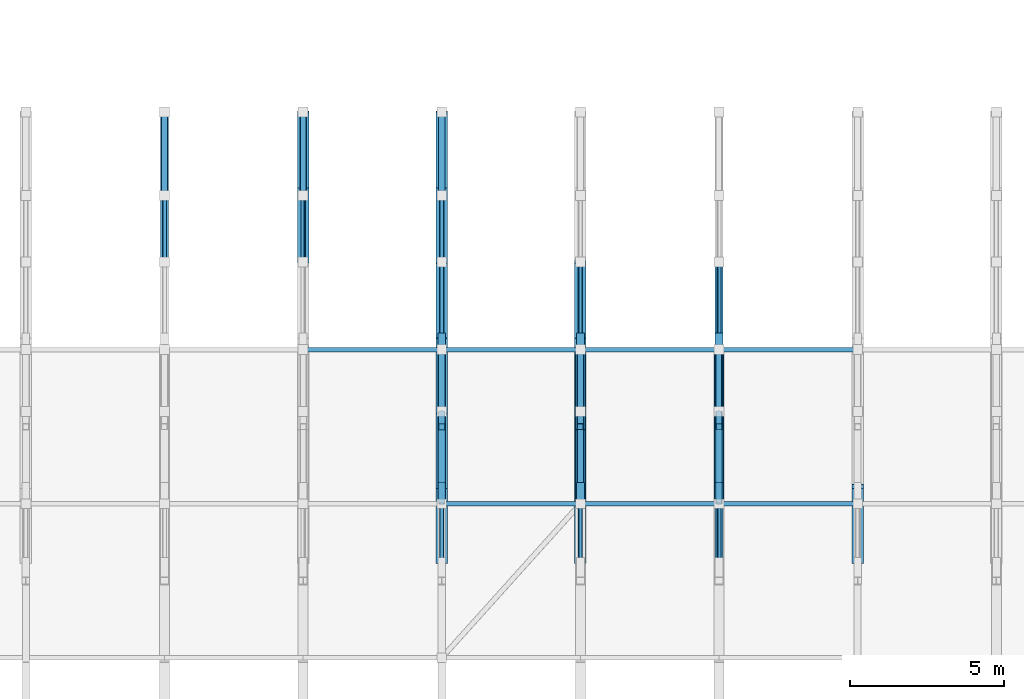
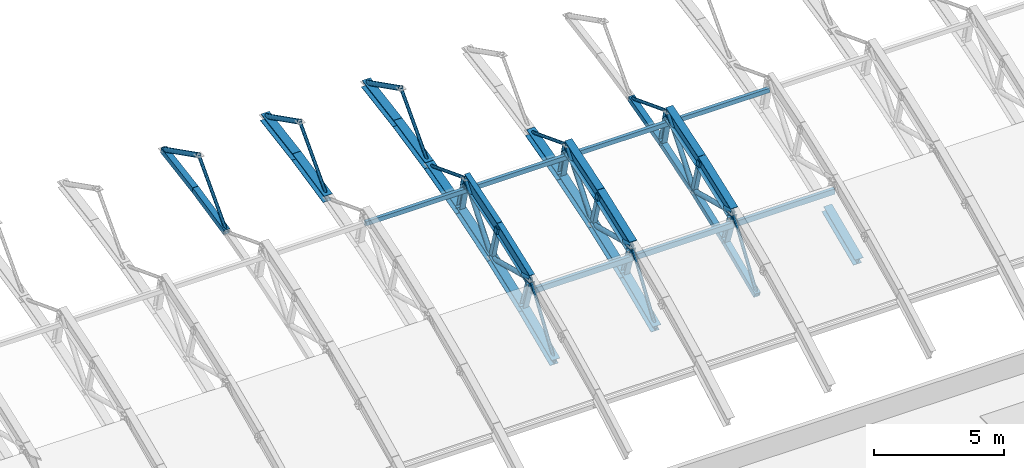
# One storey, part 42 of 103: 53 members, 6 beams.
"""IFC4 building model written with IfcOpenShell, lengths in metres."""

from ifc_helpers import new_model, si_unit, direction, frame, origin, origin_2d, place, context, subcontext, project, spatial, hollow_rectangle, hollow_circle, i_section, extrude, material, material_profile, profile_set, type_object, element, save


model = new_model("IFC4")

# Units and contexts
model_context = context("Model", 3, precision=1e-05, world=origin(), true_north=direction((0.0, 1.0)))
body_context = subcontext(model_context, "Body", "Model", "MODEL_VIEW")
ifc_project = project(units=[si_unit("LENGTHUNIT", "METRE"), si_unit("AREAUNIT", "SQUARE_METRE"), si_unit("VOLUMEUNIT", "CUBIC_METRE"), si_unit("PLANEANGLEUNIT", "RADIAN"), si_unit("MASSUNIT", "GRAM", prefix="KILO")], contexts=[model_context])

# Site, building, storey
site_placement = place(None, origin())
site = spatial("IfcSite", under=ifc_project, at=site_placement, CompositionType="ELEMENT")
building_placement = place(site_placement, origin())
building = spatial("IfcBuilding", under=site, at=building_placement, Name="Cazmaro Siding Exhibition Halls", CompositionType="ELEMENT")
storey_placement = place(building_placement, frame((0.0, 0.0, 16.5)))
storey = spatial("IfcBuildingStorey", under=building, at=storey_placement, Name="L03", CompositionType="ELEMENT", Elevation=16.5)

# Beams
ifc_material_1 = material(Name="Steel ASTM A992 Grade 50", Category="steel")
ifc_material_profile_1 = material_profile(ifc_material_1, i_section(OverallWidth=0.327880859375, OverallDepth=0.626953125, WebThickness=0.01708984375, FlangeThickness=0.028076171875, at=origin_2d()), Name="W24X146")
ifc_profile_set_1 = profile_set([ifc_material_profile_1], Name="Steel ASTM A992 Grade 50")
beam_type_1 = type_object("IfcBeamType", Name="AR-01", PredefinedType="USERDEFINED", material=ifc_profile_set_1)
beam_1_placement = place(storey_placement, frame((112.5, 74.0, 3.1220703125), z_axis=(0.0, 0.936509460339, 0.350642311615), x_axis=(-1.0, 0.0, 0.0)))
element("IfcBeam", 1, at=beam_1_placement, inside=storey, type_object=beam_type_1, Name="Space frame barrel vault arched rib AR-01 BM-0899", ObjectType="ARCHED RIB", PredefinedType="USERDEFINED", context=body_context, shape_type="SweptSolid", body=[
    extrude(i_section(OverallWidth=0.327880859375, OverallDepth=0.626953125, WebThickness=0.01708984375, FlangeThickness=0.028076171875, at=origin_2d()), origin(), (0.0, 0.0, 1.0), 2.66943359375),
])
beam_2_placement = place(storey_placement, frame((112.5, 76.5, 4.05810546875), z_axis=(0.0, 0.952769241759, 0.303695195811), x_axis=(-1.0, 0.0, 0.0)))
element("IfcBeam", 2, at=beam_2_placement, inside=storey, type_object=beam_type_1, Name="Space frame barrel vault arched rib AR-01 BM-0900", ObjectType="ARCHED RIB", PredefinedType="USERDEFINED", context=body_context, shape_type="SweptSolid", body=[
    extrude(i_section(OverallWidth=0.327880859375, OverallDepth=0.626953125, WebThickness=0.01708984375, FlangeThickness=0.028076171875, at=origin_2d()), origin(), (0.0, 0.0, 1.0), 2.6240234375),
])
ifc_material_2 = material(Name="Steel ASTM A992 Grade 50", Category="steel")
ifc_material_profile_2 = material_profile(ifc_material_2, i_section(OverallWidth=0.324951171875, OverallDepth=0.612060546875, WebThickness=0.012939453125, FlangeThickness=0.01904296875, at=origin_2d()), Name="W24X104")
ifc_profile_set_2 = profile_set([ifc_material_profile_2], Name="Steel ASTM A992 Grade 50")
beam_type_2 = type_object("IfcBeamType", Name="AR-02", PredefinedType="USERDEFINED", material=ifc_profile_set_2)
beam_3_placement = place(storey_placement, frame((117.0, 74.0, 3.1220703125), z_axis=(0.0, 0.936509460339, 0.350642311615), x_axis=(-1.0, 0.0, 0.0)))
element("IfcBeam", 3, at=beam_3_placement, inside=storey, type_object=beam_type_2, Name="Space frame barrel vault arched rib AR-02 BM-0923", ObjectType="ARCHED RIB", PredefinedType="USERDEFINED", context=body_context, shape_type="SweptSolid", body=[
    extrude(i_section(OverallWidth=0.324951171875, OverallDepth=0.612060546875, WebThickness=0.012939453125, FlangeThickness=0.01904296875, at=origin_2d()), origin(), (0.0, 0.0, 1.0), 2.66943359375),
])
beam_4_placement = place(storey_placement, frame((117.0, 76.5, 4.05810546875), z_axis=(0.0, 0.952769241759, 0.303695195811), x_axis=(-1.0, 0.0, 0.0)))
element("IfcBeam", 4, at=beam_4_placement, inside=storey, type_object=beam_type_2, Name="Space frame barrel vault arched rib AR-02 BM-0924", ObjectType="ARCHED RIB", PredefinedType="USERDEFINED", context=body_context, shape_type="SweptSolid", body=[
    extrude(i_section(OverallWidth=0.324951171875, OverallDepth=0.612060546875, WebThickness=0.012939453125, FlangeThickness=0.01904296875, at=origin_2d()), origin(), (0.0, 0.0, 1.0), 2.6240234375),
])
ifc_material_3 = material(Name="Steel ASTM A992 Grade 50", Category="steel")
ifc_material_profile_3 = material_profile(ifc_material_3, i_section(OverallWidth=0.22900390625, OverallDepth=0.612060546875, WebThickness=0.011962890625, FlangeThickness=0.02001953125, at=origin_2d()), Name="W24X84")
ifc_profile_set_3 = profile_set([ifc_material_profile_3], Name="Steel ASTM A992 Grade 50")
beam_type_3 = type_object("IfcBeamType", Name="AR-03", PredefinedType="USERDEFINED", material=ifc_profile_set_3)
beam_5_placement = place(storey_placement, frame((108.0, 74.0, 3.1220703125), z_axis=(0.0, 0.936509460339, 0.350642311615), x_axis=(-1.0, 0.0, 0.0)))
element("IfcBeam", 5, at=beam_5_placement, inside=storey, type_object=beam_type_3, Name="Space frame barrel vault arched rib AR-03 BM-0875", ObjectType="ARCHED RIB", PredefinedType="USERDEFINED", context=body_context, shape_type="SweptSolid", body=[
    extrude(i_section(OverallWidth=0.22900390625, OverallDepth=0.612060546875, WebThickness=0.011962890625, FlangeThickness=0.02001953125, at=origin_2d()), origin(), (0.0, 0.0, 1.0), 2.66943359375),
])
beam_6_placement = place(storey_placement, frame((108.0, 76.5, 4.05810546875), z_axis=(0.0, 0.952769241759, 0.303695195811), x_axis=(-1.0, 0.0, 0.0)))
element("IfcBeam", 6, at=beam_6_placement, inside=storey, type_object=beam_type_3, Name="Space frame barrel vault arched rib AR-03 BM-0876", ObjectType="ARCHED RIB", PredefinedType="USERDEFINED", context=body_context, shape_type="SweptSolid", body=[
    extrude(i_section(OverallWidth=0.22900390625, OverallDepth=0.612060546875, WebThickness=0.011962890625, FlangeThickness=0.02001953125, at=origin_2d()), origin(), (0.0, 0.0, 1.0), 2.6240234375),
])

# Members
ifc_material_4 = material(Name="Steel ASTM A500 Grade C", Category="steel")
ifc_material_profile_4 = material_profile(ifc_material_4, hollow_rectangle(XDim=0.152099609375, YDim=0.202880859375, WallThickness=0.011962890625, at=origin_2d()), Name="HSS8X6X1/2")
ifc_profile_set_4 = profile_set([ifc_material_profile_4], Name="Steel ASTM A500 Grade C")
member_type_1 = type_object("IfcMemberType", Name="RP-01", PredefinedType="PURLIN", material=ifc_profile_set_4)
for number, where, z_axis, x_axis, name in (
    (7, (103.5, 79.0, 4.31494140625), (1.0, 0.0, 0.0), (0.0, 1.0, 0.0), "Space frame barrel vault purlin RP-01 MEM-2121"),
    (8, (108.0, 79.0, 4.31494140625), (1.0, 0.0, 0.0), (0.0, 1.0, 0.0), "Space frame barrel vault purlin RP-01 MEM-2132"),
    (9, (112.5, 79.0, 4.31494140625), (1.0, 0.0, 0.0), (0.0, 1.0, 0.0), "Space frame barrel vault purlin RP-01 MEM-2149"),
    (10, (117.0, 79.0, 4.31494140625), (1.0, 0.0, 0.0), (0.0, 1.0, 0.0), "Space frame barrel vault purlin RP-01 MEM-2160"),
):
    element("IfcMember", number, at=place(storey_placement, frame(where, z_axis=z_axis, x_axis=x_axis)), inside=storey, type_object=member_type_1, Name=name, PredefinedType="PURLIN", context=body_context, shape_type="SweptSolid", body=[
        extrude(hollow_rectangle(XDim=0.152099609375, YDim=0.202880859375, WallThickness=0.011962890625, at=origin_2d()), origin(), (0.0, 0.0, 1.0), 4.5),
    ])
ifc_material_5 = material(Name="Steel ASTM A500 Grade C", Category="steel")
ifc_material_profile_5 = material_profile(ifc_material_5, hollow_rectangle(XDim=0.152099609375, YDim=0.25390625, WallThickness=0.011962890625, at=origin_2d()), Name="HSS10X6X1/2")
ifc_profile_set_5 = profile_set([ifc_material_profile_5], Name="Steel ASTM A500 Grade C")
member_type_2 = type_object("IfcMemberType", Name="RP-04", PredefinedType="PURLIN", material=ifc_profile_set_5)
for number, where, z_axis, x_axis, name in (
    (11, (108.0, 74.0, 2.58203125), (1.0, 0.0, 0.0), (0.0, 1.0, 0.0), "Space frame barrel vault purlin RP-04 MEM-2131"),
    (12, (112.5, 74.0, 2.58203125), (1.0, 0.0, 0.0), (0.0, 1.0, 0.0), "Space frame barrel vault purlin RP-04 MEM-2148"),
    (13, (117.0, 74.0, 2.58203125), (1.0, 0.0, 0.0), (0.0, 1.0, 0.0), "Space frame barrel vault purlin RP-04 MEM-2159"),
):
    element("IfcMember", number, at=place(storey_placement, frame(where, z_axis=z_axis, x_axis=x_axis)), inside=storey, type_object=member_type_2, Name=name, PredefinedType="PURLIN", context=body_context, shape_type="SweptSolid", body=[
        extrude(hollow_rectangle(XDim=0.152099609375, YDim=0.25390625, WallThickness=0.011962890625, at=origin_2d()), origin(), (0.0, 0.0, 1.0), 4.5),
    ])
ifc_material_6 = material(Name="Steel ASTM A500 Grade C", Category="steel")
ifc_material_profile_6 = material_profile(ifc_material_6, hollow_rectangle(XDim=0.25390625, YDim=0.25390625, WallThickness=0.014892578125, at=origin_2d()), Name="HSS10X10X5/8")
ifc_profile_set_6 = profile_set([ifc_material_profile_6], Name="Steel ASTM A500 Grade C")
member_type_3 = type_object("IfcMemberType", Name="TC-01", PredefinedType="CHORD", material=ifc_profile_set_6)
member_1_placement = place(storey_placement, frame((99.0, 81.85009765625, 3.760986328125), z_axis=(0.0, 0.977697351532, 0.210018782033), x_axis=(-1.0, 0.0, 0.0)))
element("IfcMember", 14, at=member_1_placement, inside=storey, type_object=member_type_3, Name="Space frame barrel vault bottom chord TC-01 MEM-0819", PredefinedType="CHORD", context=body_context, shape_type="SweptSolid", body=[
    extrude(hollow_rectangle(XDim=0.25390625, YDim=0.25390625, WallThickness=0.014892578125, at=origin_2d()), origin(), (0.0, 0.0, 1.0), 2.4853515625),
])
member_2_placement = place(storey_placement, frame((99.0, 84.280029296875, 4.282958984375), z_axis=(0.0, 0.986455464336, 0.164029317138), x_axis=(-1.0, 0.0, 0.0)))
element("IfcMember", 15, at=member_2_placement, inside=storey, type_object=member_type_3, Name="Space frame barrel vault bottom chord TC-01 MEM-0821", PredefinedType="CHORD", context=body_context, shape_type="SweptSolid", body=[
    extrude(hollow_rectangle(XDim=0.25390625, YDim=0.25390625, WallThickness=0.014892578125, at=origin_2d()), origin(), (0.0, 0.0, 1.0), 2.46337890625),
])
member_3_placement = place(storey_placement, frame((117.0, 72.131103515625, 0.37890625), z_axis=(0.0, 0.917689003843, 0.397299499403), x_axis=(-1.0, 0.0, 0.0)))
element("IfcMember", 16, at=member_3_placement, inside=storey, type_object=member_type_3, Name="Space frame barrel vault bottom chord TC-01 MEM-1095", PredefinedType="CHORD", context=body_context, shape_type="SweptSolid", body=[
    extrude(hollow_rectangle(XDim=0.25390625, YDim=0.25390625, WallThickness=0.014892578125, at=origin_2d()), origin(), (0.0, 0.0, 1.0), 2.64794921875),
])
member_4_placement = place(storey_placement, frame((117.0, 74.56103515625, 1.430908203125), z_axis=(0.0, 0.936588022869, 0.350432412053), x_axis=(-1.0, 0.0, 0.0)))
element("IfcMember", 17, at=member_4_placement, inside=storey, type_object=member_type_3, Name="Space frame barrel vault bottom chord TC-01 MEM-1097", PredefinedType="CHORD", context=body_context, shape_type="SweptSolid", body=[
    extrude(hollow_rectangle(XDim=0.25390625, YDim=0.25390625, WallThickness=0.014892578125, at=origin_2d()), origin(), (0.0, 0.0, 1.0), 2.594482421875),
])
member_5_placement = place(storey_placement, frame((117.0, 76.990966796875, 2.340087890625), z_axis=(0.0, 0.952692842525, 0.303934775573), x_axis=(-1.0, 0.0, 0.0)))
element("IfcMember", 18, at=member_5_placement, inside=storey, type_object=member_type_3, Name="Space frame barrel vault bottom chord TC-01 MEM-1099", PredefinedType="CHORD", context=body_context, shape_type="SweptSolid", body=[
    extrude(hollow_rectangle(XDim=0.25390625, YDim=0.25390625, WallThickness=0.014892578125, at=origin_2d()), origin(), (0.0, 0.0, 1.0), 2.549560546875),
])
member_6_placement = place(storey_placement, frame((117.0, 79.419921875, 3.114990234375), z_axis=(0.0, 0.966437683387, 0.256901156343), x_axis=(-1.0, 0.0, 0.0)))
element("IfcMember", 19, at=member_6_placement, inside=storey, type_object=member_type_3, Name="Space frame barrel vault bottom chord TC-01 MEM-1101", PredefinedType="CHORD", context=body_context, shape_type="SweptSolid", body=[
    extrude(hollow_rectangle(XDim=0.25390625, YDim=0.25390625, WallThickness=0.014892578125, at=origin_2d()), origin(), (0.0, 0.0, 1.0), 2.5146484375),
])
ifc_material_7 = material(Name="Steel ASTM A992 Grade 50", Category="steel")
ifc_material_profile_7 = material_profile(ifc_material_7, i_section(OverallWidth=0.37109375, OverallDepth=0.364013671875, WebThickness=0.012939453125, FlangeThickness=0.02197265625, at=origin_2d()), Name="W14X109")
ifc_profile_set_7 = profile_set([ifc_material_profile_7], Name="Steel ASTM A992 Grade 50")
member_type_4 = type_object("IfcMemberType", Name="TC-06", PredefinedType="CHORD", material=ifc_profile_set_7)
member_7_placement = place(storey_placement, frame((103.5, 81.85009765625, 3.760986328125), z_axis=(0.0, 0.977697351532, 0.210018782033), x_axis=(-1.0, 0.0, 0.0)))
element("IfcMember", 20, at=member_7_placement, inside=storey, type_object=member_type_4, Name="Space frame barrel vault bottom chord TC-06 MEM-0890", PredefinedType="CHORD", context=body_context, shape_type="SweptSolid", body=[
    extrude(i_section(OverallWidth=0.37109375, OverallDepth=0.364013671875, WebThickness=0.012939453125, FlangeThickness=0.02197265625, at=origin_2d()), origin(), (0.0, 0.0, 1.0), 2.4853515625),
])
member_8_placement = place(storey_placement, frame((103.5, 84.280029296875, 4.282958984375), z_axis=(0.0, 0.986455464336, 0.164029317138), x_axis=(-1.0, 0.0, 0.0)))
element("IfcMember", 21, at=member_8_placement, inside=storey, type_object=member_type_4, Name="Space frame barrel vault bottom chord TC-06 MEM-0892", PredefinedType="CHORD", context=body_context, shape_type="SweptSolid", body=[
    extrude(i_section(OverallWidth=0.37109375, OverallDepth=0.364013671875, WebThickness=0.012939453125, FlangeThickness=0.02197265625, at=origin_2d()), origin(), (0.0, 0.0, 1.0), 2.46337890625),
])
member_9_placement = place(storey_placement, frame((108.0, 72.131103515625, 0.37890625), z_axis=(0.0, 0.917689003843, 0.397299499403), x_axis=(-1.0, 0.0, 0.0)))
element("IfcMember", 22, at=member_9_placement, inside=storey, type_object=member_type_4, Name="Space frame barrel vault bottom chord TC-06 MEM-0953", PredefinedType="CHORD", context=body_context, shape_type="SweptSolid", body=[
    extrude(i_section(OverallWidth=0.37109375, OverallDepth=0.364013671875, WebThickness=0.012939453125, FlangeThickness=0.02197265625, at=origin_2d()), origin(), (0.0, 0.0, 1.0), 2.64794921875),
])
member_10_placement = place(storey_placement, frame((108.0, 74.56103515625, 1.430908203125), z_axis=(0.0, 0.936588022869, 0.350432412053), x_axis=(-1.0, 0.0, 0.0)))
element("IfcMember", 23, at=member_10_placement, inside=storey, type_object=member_type_4, Name="Space frame barrel vault bottom chord TC-06 MEM-0955", PredefinedType="CHORD", context=body_context, shape_type="SweptSolid", body=[
    extrude(i_section(OverallWidth=0.37109375, OverallDepth=0.364013671875, WebThickness=0.012939453125, FlangeThickness=0.02197265625, at=origin_2d()), origin(), (0.0, 0.0, 1.0), 2.594482421875),
])
member_11_placement = place(storey_placement, frame((108.0, 76.990966796875, 2.340087890625), z_axis=(0.0, 0.952692842525, 0.303934775573), x_axis=(-1.0, 0.0, 0.0)))
element("IfcMember", 24, at=member_11_placement, inside=storey, type_object=member_type_4, Name="Space frame barrel vault bottom chord TC-06 MEM-0957", PredefinedType="CHORD", context=body_context, shape_type="SweptSolid", body=[
    extrude(i_section(OverallWidth=0.37109375, OverallDepth=0.364013671875, WebThickness=0.012939453125, FlangeThickness=0.02197265625, at=origin_2d()), origin(), (0.0, 0.0, 1.0), 2.549560546875),
])
member_12_placement = place(storey_placement, frame((108.0, 79.419921875, 3.114990234375), z_axis=(0.0, 0.966437683387, 0.256901156343), x_axis=(-1.0, 0.0, 0.0)))
element("IfcMember", 25, at=member_12_placement, inside=storey, type_object=member_type_4, Name="Space frame barrel vault bottom chord TC-06 MEM-0959", PredefinedType="CHORD", context=body_context, shape_type="SweptSolid", body=[
    extrude(i_section(OverallWidth=0.37109375, OverallDepth=0.364013671875, WebThickness=0.012939453125, FlangeThickness=0.02197265625, at=origin_2d()), origin(), (0.0, 0.0, 1.0), 2.5146484375),
])
member_13_placement = place(storey_placement, frame((108.0, 81.85009765625, 3.760986328125), z_axis=(0.0, 0.977697351532, 0.210018782033), x_axis=(-1.0, 0.0, 0.0)))
element("IfcMember", 26, at=member_13_placement, inside=storey, type_object=member_type_4, Name="Space frame barrel vault bottom chord TC-06 MEM-0961", PredefinedType="CHORD", context=body_context, shape_type="SweptSolid", body=[
    extrude(i_section(OverallWidth=0.37109375, OverallDepth=0.364013671875, WebThickness=0.012939453125, FlangeThickness=0.02197265625, at=origin_2d()), origin(), (0.0, 0.0, 1.0), 2.4853515625),
])
member_14_placement = place(storey_placement, frame((108.0, 84.280029296875, 4.282958984375), z_axis=(0.0, 0.986455464336, 0.164029317138), x_axis=(-1.0, 0.0, 0.0)))
element("IfcMember", 27, at=member_14_placement, inside=storey, type_object=member_type_4, Name="Space frame barrel vault bottom chord TC-06 MEM-0963", PredefinedType="CHORD", context=body_context, shape_type="SweptSolid", body=[
    extrude(i_section(OverallWidth=0.37109375, OverallDepth=0.364013671875, WebThickness=0.012939453125, FlangeThickness=0.02197265625, at=origin_2d()), origin(), (0.0, 0.0, 1.0), 2.46337890625),
])
member_15_placement = place(storey_placement, frame((112.5, 72.131103515625, 0.37890625), z_axis=(0.0, 0.917689003843, 0.397299499403), x_axis=(-1.0, 0.0, 0.0)))
element("IfcMember", 28, at=member_15_placement, inside=storey, type_object=member_type_4, Name="Space frame barrel vault bottom chord TC-06 MEM-1024", PredefinedType="CHORD", context=body_context, shape_type="SweptSolid", body=[
    extrude(i_section(OverallWidth=0.37109375, OverallDepth=0.364013671875, WebThickness=0.012939453125, FlangeThickness=0.02197265625, at=origin_2d()), origin(), (0.0, 0.0, 1.0), 2.64794921875),
])
member_16_placement = place(storey_placement, frame((112.5, 74.56103515625, 1.430908203125), z_axis=(0.0, 0.936588022869, 0.350432412053), x_axis=(-1.0, 0.0, 0.0)))
element("IfcMember", 29, at=member_16_placement, inside=storey, type_object=member_type_4, Name="Space frame barrel vault bottom chord TC-06 MEM-1026", PredefinedType="CHORD", context=body_context, shape_type="SweptSolid", body=[
    extrude(i_section(OverallWidth=0.37109375, OverallDepth=0.364013671875, WebThickness=0.012939453125, FlangeThickness=0.02197265625, at=origin_2d()), origin(), (0.0, 0.0, 1.0), 2.594482421875),
])
member_17_placement = place(storey_placement, frame((112.5, 76.990966796875, 2.340087890625), z_axis=(0.0, 0.952692842525, 0.303934775573), x_axis=(-1.0, 0.0, 0.0)))
element("IfcMember", 30, at=member_17_placement, inside=storey, type_object=member_type_4, Name="Space frame barrel vault bottom chord TC-06 MEM-1028", PredefinedType="CHORD", context=body_context, shape_type="SweptSolid", body=[
    extrude(i_section(OverallWidth=0.37109375, OverallDepth=0.364013671875, WebThickness=0.012939453125, FlangeThickness=0.02197265625, at=origin_2d()), origin(), (0.0, 0.0, 1.0), 2.549560546875),
])
member_18_placement = place(storey_placement, frame((112.5, 79.419921875, 3.114990234375), z_axis=(0.0, 0.966437683387, 0.256901156343), x_axis=(-1.0, 0.0, 0.0)))
element("IfcMember", 31, at=member_18_placement, inside=storey, type_object=member_type_4, Name="Space frame barrel vault bottom chord TC-06 MEM-1030", PredefinedType="CHORD", context=body_context, shape_type="SweptSolid", body=[
    extrude(i_section(OverallWidth=0.37109375, OverallDepth=0.364013671875, WebThickness=0.012939453125, FlangeThickness=0.02197265625, at=origin_2d()), origin(), (0.0, 0.0, 1.0), 2.5146484375),
])
member_19_placement = place(storey_placement, frame((121.5, 72.131103515625, 0.37890625), z_axis=(0.0, 0.917689003843, 0.397299499403), x_axis=(-1.0, 0.0, 0.0)))
element("IfcMember", 32, at=member_19_placement, inside=storey, type_object=member_type_4, Name="Space frame barrel vault bottom chord TC-06 MEM-1166", PredefinedType="CHORD", context=body_context, shape_type="SweptSolid", body=[
    extrude(i_section(OverallWidth=0.37109375, OverallDepth=0.364013671875, WebThickness=0.012939453125, FlangeThickness=0.02197265625, at=origin_2d()), origin(), (0.0, 0.0, 1.0), 2.64794921875),
])
ifc_material_8 = material(Name="Steel ASTM A500 Grade C", Category="steel")
ifc_material_profile_8 = material_profile(ifc_material_8, hollow_rectangle(XDim=0.202880859375, YDim=0.202880859375, WallThickness=0.011962890625, at=origin_2d()), Name="HSS8X8X1/2")
ifc_profile_set_8 = profile_set([ifc_material_profile_8], Name="Steel ASTM A500 Grade C")
member_type_5 = type_object("IfcMemberType", Name="TP-01", PredefinedType="POST", material=ifc_profile_set_8)
for number, where, z_axis, x_axis, name in (
    (33, (108.0, 76.990966796875, 2.340087890625), (0.0, -0.274775266308, 0.961508477875), (1.0, 0.0, 0.0), "Space frame barrel vault post TP-01 MEM-0999"),
    (34, (112.5, 76.990966796875, 2.340087890625), (0.0, -0.274775266308, 0.961508477875), (1.0, 0.0, 0.0), "Space frame barrel vault post TP-01 MEM-1070"),
    (35, (117.0, 76.990966796875, 2.340087890625), (0.0, -0.274775266308, 0.961508477875), (1.0, 0.0, 0.0), "Space frame barrel vault post TP-01 MEM-1141"),
):
    element("IfcMember", number, at=place(storey_placement, frame(where, z_axis=z_axis, x_axis=x_axis)), inside=storey, type_object=member_type_5, Name=name, PredefinedType="POST", context=body_context, shape_type="SweptSolid", body=[
        extrude(hollow_rectangle(XDim=0.202880859375, YDim=0.202880859375, WallThickness=0.011962890625, at=origin_2d()), origin(), (0.0, 0.0, 1.0), 1.786865234375),
    ])
ifc_material_9 = material(Name="Steel ASTM A992 Grade 50", Category="steel")
ifc_material_profile_9 = material_profile(ifc_material_9, i_section(OverallWidth=0.25390625, OverallDepth=0.25390625, WebThickness=0.009033203125, FlangeThickness=0.013916015625, at=origin_2d()), Name="W10X49")
ifc_profile_set_9 = profile_set([ifc_material_profile_9], Name="Steel ASTM A992 Grade 50")
member_type_6 = type_object("IfcMemberType", Name="TP-04", PredefinedType="POST", material=ifc_profile_set_9)
member_20_placement = place(storey_placement, frame((108.0, 74.56103515625, 1.430908203125), z_axis=(0.0, -0.314870949103, 0.949134492794), x_axis=(1.0, 0.0, 0.0)))
element("IfcMember", 36, at=member_20_placement, inside=storey, type_object=member_type_6, Name="Space frame barrel vault post TP-04 MEM-0998", PredefinedType="POST", context=body_context, shape_type="SweptSolid", body=[
    extrude(i_section(OverallWidth=0.25390625, OverallDepth=0.25390625, WebThickness=0.009033203125, FlangeThickness=0.013916015625, at=origin_2d()), origin(), (0.0, 0.0, 1.0), 1.78173828125),
])
member_21_placement = place(storey_placement, frame((108.0, 79.419921875, 3.114990234375), z_axis=(0.0, -0.234600533729, 0.972091862724), x_axis=(1.0, 0.0, 0.0)))
element("IfcMember", 37, at=member_21_placement, inside=storey, type_object=member_type_6, Name="Space frame barrel vault post TP-04 MEM-1000", PredefinedType="POST", context=body_context, shape_type="SweptSolid", body=[
    extrude(i_section(OverallWidth=0.25390625, OverallDepth=0.25390625, WebThickness=0.009033203125, FlangeThickness=0.013916015625, at=origin_2d()), origin(), (0.0, 0.0, 1.0), 1.7900390625),
])
member_22_placement = place(storey_placement, frame((112.5, 74.56103515625, 1.430908203125), z_axis=(0.0, -0.314870949103, 0.949134492794), x_axis=(1.0, 0.0, 0.0)))
element("IfcMember", 38, at=member_22_placement, inside=storey, type_object=member_type_6, Name="Space frame barrel vault post TP-04 MEM-1069", PredefinedType="POST", context=body_context, shape_type="SweptSolid", body=[
    extrude(i_section(OverallWidth=0.25390625, OverallDepth=0.25390625, WebThickness=0.009033203125, FlangeThickness=0.013916015625, at=origin_2d()), origin(), (0.0, 0.0, 1.0), 1.78173828125),
])
member_23_placement = place(storey_placement, frame((112.5, 79.419921875, 3.114990234375), z_axis=(0.0, -0.234600533729, 0.972091862724), x_axis=(1.0, 0.0, 0.0)))
element("IfcMember", 39, at=member_23_placement, inside=storey, type_object=member_type_6, Name="Space frame barrel vault post TP-04 MEM-1071", PredefinedType="POST", context=body_context, shape_type="SweptSolid", body=[
    extrude(i_section(OverallWidth=0.25390625, OverallDepth=0.25390625, WebThickness=0.009033203125, FlangeThickness=0.013916015625, at=origin_2d()), origin(), (0.0, 0.0, 1.0), 1.7900390625),
])
member_24_placement = place(storey_placement, frame((117.0, 74.56103515625, 1.430908203125), z_axis=(0.0, -0.314870949103, 0.949134492794), x_axis=(1.0, 0.0, 0.0)))
element("IfcMember", 40, at=member_24_placement, inside=storey, type_object=member_type_6, Name="Space frame barrel vault post TP-04 MEM-1140", PredefinedType="POST", context=body_context, shape_type="SweptSolid", body=[
    extrude(i_section(OverallWidth=0.25390625, OverallDepth=0.25390625, WebThickness=0.009033203125, FlangeThickness=0.013916015625, at=origin_2d()), origin(), (0.0, 0.0, 1.0), 1.78173828125),
])
member_25_placement = place(storey_placement, frame((117.0, 79.419921875, 3.114990234375), z_axis=(0.0, -0.234600533729, 0.972091862724), x_axis=(1.0, 0.0, 0.0)))
element("IfcMember", 41, at=member_25_placement, inside=storey, type_object=member_type_6, Name="Space frame barrel vault post TP-04 MEM-1142", PredefinedType="POST", context=body_context, shape_type="SweptSolid", body=[
    extrude(i_section(OverallWidth=0.25390625, OverallDepth=0.25390625, WebThickness=0.009033203125, FlangeThickness=0.013916015625, at=origin_2d()), origin(), (0.0, 0.0, 1.0), 1.7900390625),
])
ifc_material_10 = material(Name="Steel ASTM A500 Grade C", Category="steel")
ifc_material_profile_10 = material_profile(ifc_material_10, hollow_circle(Radius=0.109619140625, WallThickness=0.012939453125, at=origin_2d()), Name="PIPE8XS")
ifc_profile_set_10 = profile_set([ifc_material_profile_10], Name="Steel ASTM A500 Grade C")
member_type_7 = type_object("IfcMemberType", Name="WB-01", PredefinedType="BRACE", material=ifc_profile_set_10)
for number, where, z_axis, x_axis, name in (
    (42, (99.0, 84.0, 6.056884765625), (0.0, 0.892456788218, -0.451132886369), (-1.0, 0.0, 0.0), "Space frame barrel vault diagonal WB-01 MEM-0822"),
    (43, (103.5, 84.0, 6.056884765625), (0.0, 0.892456788218, -0.451132886369), (-1.0, 0.0, 0.0), "Space frame barrel vault diagonal WB-01 MEM-0893"),
):
    element("IfcMember", number, at=place(storey_placement, frame(where, z_axis=z_axis, x_axis=x_axis)), inside=storey, type_object=member_type_7, Name=name, PredefinedType="BRACE", context=body_context, shape_type="SweptSolid", body=[
        extrude(hollow_circle(Radius=0.109619140625, WallThickness=0.012939453125, at=origin_2d()), origin(), (0.0, 0.0, 1.0), 3.03662109375),
    ])
member_26_placement = place(storey_placement, frame((108.0, 74.0, 3.1220703125), z_axis=(0.0, 0.967480432857, -0.252945867802), x_axis=(-1.0, 0.0, 0.0)))
element("IfcMember", 44, at=member_26_placement, inside=storey, type_object=member_type_7, Name="Space frame barrel vault diagonal WB-01 MEM-0956", PredefinedType="BRACE", context=body_context, shape_type="SweptSolid", body=[
    extrude(hollow_circle(Radius=0.109619140625, WallThickness=0.012939453125, at=origin_2d()), origin(), (0.0, 0.0, 1.0), 3.091552734375),
])
member_27_placement = place(storey_placement, frame((108.0, 76.990966796875, 2.340087890625), z_axis=(0.0, 0.624149162907, 0.781305204412), x_axis=(-1.0, 0.0, 0.0)))
element("IfcMember", 45, at=member_27_placement, inside=storey, type_object=member_type_7, Name="Space frame barrel vault diagonal WB-01 MEM-0958", PredefinedType="BRACE", context=body_context, shape_type="SweptSolid", body=[
    extrude(hollow_circle(Radius=0.109619140625, WallThickness=0.012939453125, at=origin_2d()), origin(), (0.0, 0.0, 1.0), 3.21875),
])
member_28_placement = place(storey_placement, frame((108.0, 84.0, 6.056884765625), z_axis=(0.0, 0.892456788218, -0.451132886369), x_axis=(-1.0, 0.0, 0.0)))
element("IfcMember", 46, at=member_28_placement, inside=storey, type_object=member_type_7, Name="Space frame barrel vault diagonal WB-01 MEM-0964", PredefinedType="BRACE", context=body_context, shape_type="SweptSolid", body=[
    extrude(hollow_circle(Radius=0.109619140625, WallThickness=0.012939453125, at=origin_2d()), origin(), (0.0, 0.0, 1.0), 3.03662109375),
])
member_29_placement = place(storey_placement, frame((112.5, 74.0, 3.1220703125), z_axis=(0.0, 0.967480432857, -0.252945867802), x_axis=(-1.0, 0.0, 0.0)))
element("IfcMember", 47, at=member_29_placement, inside=storey, type_object=member_type_7, Name="Space frame barrel vault diagonal WB-01 MEM-1027", PredefinedType="BRACE", context=body_context, shape_type="SweptSolid", body=[
    extrude(hollow_circle(Radius=0.109619140625, WallThickness=0.012939453125, at=origin_2d()), origin(), (0.0, 0.0, 1.0), 3.091552734375),
])
member_30_placement = place(storey_placement, frame((112.5, 76.990966796875, 2.340087890625), z_axis=(0.0, 0.624149162907, 0.781305204412), x_axis=(-1.0, 0.0, 0.0)))
element("IfcMember", 48, at=member_30_placement, inside=storey, type_object=member_type_7, Name="Space frame barrel vault diagonal WB-01 MEM-1029", PredefinedType="BRACE", context=body_context, shape_type="SweptSolid", body=[
    extrude(hollow_circle(Radius=0.109619140625, WallThickness=0.012939453125, at=origin_2d()), origin(), (0.0, 0.0, 1.0), 3.21875),
])
member_31_placement = place(storey_placement, frame((117.0, 74.0, 3.1220703125), z_axis=(0.0, 0.967480432857, -0.252945867802), x_axis=(-1.0, 0.0, 0.0)))
element("IfcMember", 49, at=member_31_placement, inside=storey, type_object=member_type_7, Name="Space frame barrel vault diagonal WB-01 MEM-1098", PredefinedType="BRACE", context=body_context, shape_type="SweptSolid", body=[
    extrude(hollow_circle(Radius=0.109619140625, WallThickness=0.012939453125, at=origin_2d()), origin(), (0.0, 0.0, 1.0), 3.091552734375),
])
member_32_placement = place(storey_placement, frame((117.0, 76.990966796875, 2.340087890625), z_axis=(0.0, 0.624149162907, 0.781305204412), x_axis=(-1.0, 0.0, 0.0)))
element("IfcMember", 50, at=member_32_placement, inside=storey, type_object=member_type_7, Name="Space frame barrel vault diagonal WB-01 MEM-1100", PredefinedType="BRACE", context=body_context, shape_type="SweptSolid", body=[
    extrude(hollow_circle(Radius=0.109619140625, WallThickness=0.012939453125, at=origin_2d()), origin(), (0.0, 0.0, 1.0), 3.21875),
])
ifc_material_11 = material(Name="Steel ASTM A500 Grade C", Category="steel")
ifc_material_profile_11 = material_profile(ifc_material_11, hollow_circle(Radius=0.070556640625, WallThickness=0.01904296875, at=origin_2d()), Name="PIPE5XXS")
ifc_profile_set_11 = profile_set([ifc_material_profile_11], Name="Steel ASTM A500 Grade C")
member_type_8 = type_object("IfcMemberType", Name="WB-07", PredefinedType="BRACE", material=ifc_profile_set_11)
for number, where, z_axis, x_axis, name in (
    (51, (99.0, 81.85009765625, 3.760986328125), (0.0, 0.683517575744, 0.729934054315), (-1.0, 0.0, 0.0), "Space frame barrel vault diagonal WB-07 MEM-0820"),
    (52, (103.5, 81.85009765625, 3.760986328125), (0.0, 0.683517575744, 0.729934054315), (-1.0, 0.0, 0.0), "Space frame barrel vault diagonal WB-07 MEM-0891"),
):
    element("IfcMember", number, at=place(storey_placement, frame(where, z_axis=z_axis, x_axis=x_axis)), inside=storey, type_object=member_type_8, Name=name, PredefinedType="BRACE", context=body_context, shape_type="SweptSolid", body=[
        extrude(hollow_circle(Radius=0.070556640625, WallThickness=0.01904296875, at=origin_2d()), origin(), (0.0, 0.0, 1.0), 3.145263671875),
    ])
member_33_placement = place(storey_placement, frame((108.0, 72.131103515625, 0.37890625), z_axis=(0.0, 0.563040090795, 0.826429583302), x_axis=(-1.0, 0.0, 0.0)))
element("IfcMember", 53, at=member_33_placement, inside=storey, type_object=member_type_8, Name="Space frame barrel vault diagonal WB-07 MEM-0954", PredefinedType="BRACE", context=body_context, shape_type="SweptSolid", body=[
    extrude(hollow_circle(Radius=0.070556640625, WallThickness=0.01904296875, at=origin_2d()), origin(), (0.0, 0.0, 1.0), 3.3193359375),
])
member_34_placement = place(storey_placement, frame((108.0, 79.0, 4.85498046875), z_axis=(0.0, 0.933586546586, -0.358352005761), x_axis=(-1.0, 0.0, 0.0)))
element("IfcMember", 54, at=member_34_placement, inside=storey, type_object=member_type_8, Name="Space frame barrel vault diagonal WB-07 MEM-0960", PredefinedType="BRACE", context=body_context, shape_type="SweptSolid", body=[
    extrude(hollow_circle(Radius=0.070556640625, WallThickness=0.01904296875, at=origin_2d()), origin(), (0.0, 0.0, 1.0), 3.052734375),
])
member_35_placement = place(storey_placement, frame((108.0, 81.85009765625, 3.760986328125), z_axis=(0.0, 0.683517575744, 0.729934054315), x_axis=(-1.0, 0.0, 0.0)))
element("IfcMember", 55, at=member_35_placement, inside=storey, type_object=member_type_8, Name="Space frame barrel vault diagonal WB-07 MEM-0962", PredefinedType="BRACE", context=body_context, shape_type="SweptSolid", body=[
    extrude(hollow_circle(Radius=0.070556640625, WallThickness=0.01904296875, at=origin_2d()), origin(), (0.0, 0.0, 1.0), 3.145263671875),
])
member_36_placement = place(storey_placement, frame((112.5, 72.131103515625, 0.37890625), z_axis=(0.0, 0.563040090795, 0.826429583302), x_axis=(-1.0, 0.0, 0.0)))
element("IfcMember", 56, at=member_36_placement, inside=storey, type_object=member_type_8, Name="Space frame barrel vault diagonal WB-07 MEM-1025", PredefinedType="BRACE", context=body_context, shape_type="SweptSolid", body=[
    extrude(hollow_circle(Radius=0.070556640625, WallThickness=0.01904296875, at=origin_2d()), origin(), (0.0, 0.0, 1.0), 3.3193359375),
])
member_37_placement = place(storey_placement, frame((112.5, 79.0, 4.85498046875), z_axis=(0.0, 0.933586546586, -0.358352005761), x_axis=(-1.0, 0.0, 0.0)))
element("IfcMember", 57, at=member_37_placement, inside=storey, type_object=member_type_8, Name="Space frame barrel vault diagonal WB-07 MEM-1031", PredefinedType="BRACE", context=body_context, shape_type="SweptSolid", body=[
    extrude(hollow_circle(Radius=0.070556640625, WallThickness=0.01904296875, at=origin_2d()), origin(), (0.0, 0.0, 1.0), 3.052734375),
])
member_38_placement = place(storey_placement, frame((117.0, 72.131103515625, 0.37890625), z_axis=(0.0, 0.563040090795, 0.826429583302), x_axis=(-1.0, 0.0, 0.0)))
element("IfcMember", 58, at=member_38_placement, inside=storey, type_object=member_type_8, Name="Space frame barrel vault diagonal WB-07 MEM-1096", PredefinedType="BRACE", context=body_context, shape_type="SweptSolid", body=[
    extrude(hollow_circle(Radius=0.070556640625, WallThickness=0.01904296875, at=origin_2d()), origin(), (0.0, 0.0, 1.0), 3.3193359375),
])
member_39_placement = place(storey_placement, frame((117.0, 79.0, 4.85498046875), z_axis=(0.0, 0.933586546586, -0.358352005761), x_axis=(-1.0, 0.0, 0.0)))
element("IfcMember", 59, at=member_39_placement, inside=storey, type_object=member_type_8, Name="Space frame barrel vault diagonal WB-07 MEM-1102", PredefinedType="BRACE", context=body_context, shape_type="SweptSolid", body=[
    extrude(hollow_circle(Radius=0.070556640625, WallThickness=0.01904296875, at=origin_2d()), origin(), (0.0, 0.0, 1.0), 3.052734375),
])

save(model, "model.ifc")
